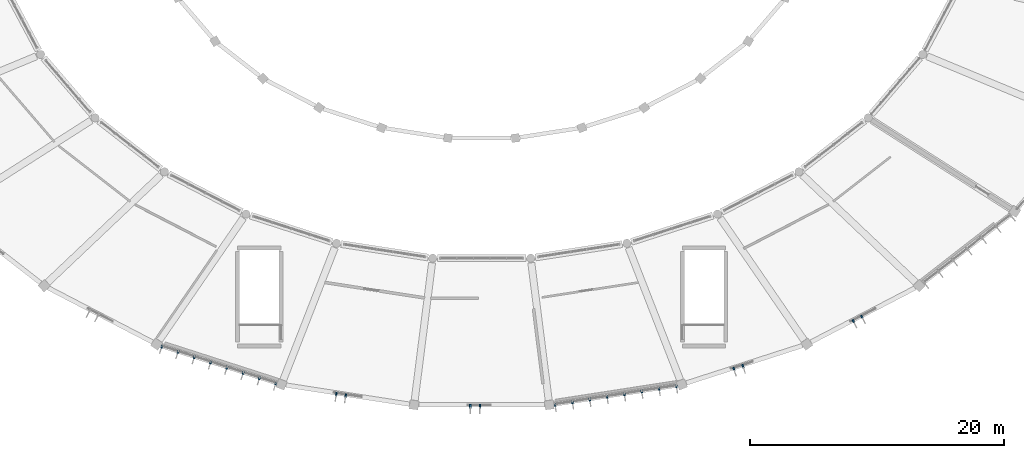
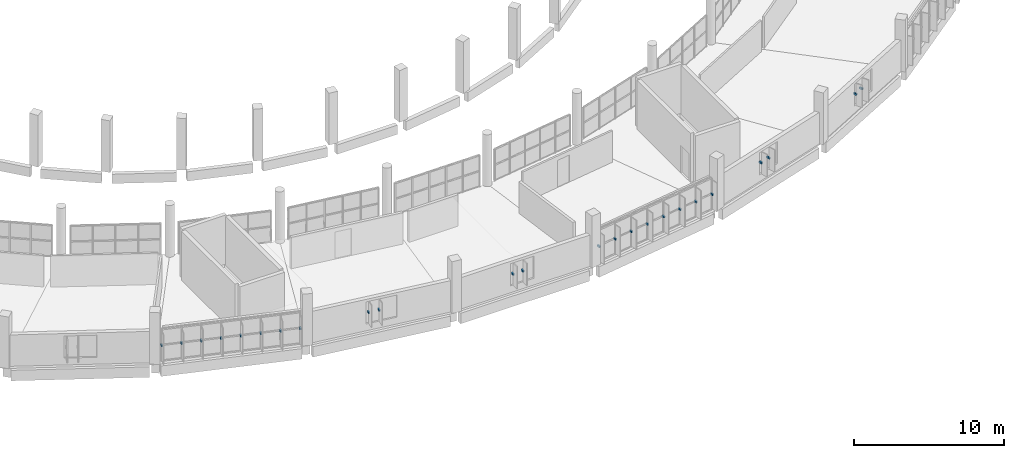
# One storey, part 111 of 142: 24 discrete accessories.
"""IFC4 building model written with IfcOpenShell, lengths in metres."""

from ifc_helpers import new_model, si_unit, direction, frame, origin, origin_2d, place, context, subcontext, project, spatial, rectangle, extrude, material, type_object, element, save


model = new_model("IFC4")

# Units and contexts
model_context = context("Model", 3, precision=1e-05, world=origin(), true_north=direction((0.0, 1.0)))
body_context = subcontext(model_context, "Body", "Model", "MODEL_VIEW")
ifc_project = project(units=[si_unit("LENGTHUNIT", "METRE"), si_unit("AREAUNIT", "SQUARE_METRE"), si_unit("VOLUMEUNIT", "CUBIC_METRE"), si_unit("PLANEANGLEUNIT", "RADIAN"), si_unit("MASSUNIT", "GRAM", prefix="KILO")], contexts=[model_context])

# Site, building, storey
site_placement = place(None, origin())
site = spatial("IfcSite", under=ifc_project, at=site_placement, CompositionType="ELEMENT")
building_placement = place(site_placement, origin())
building = spatial("IfcBuilding", under=site, at=building_placement, Name="Corvandel Quay Wholesale Market", CompositionType="ELEMENT")
storey_placement = place(building_placement, frame((0.0, 0.0, 10.800048828125)))
storey = spatial("IfcBuildingStorey", under=building, at=storey_placement, Name="L02", CompositionType="ELEMENT", Elevation=10.800048828125)

# Discrete accessories
ifc_material = material(Name="Austenitic stainless steel Grade 316", Category="steel")
discrete_accessory_type = type_object("IfcDiscreteAccessoryType", Name="Stainless Solar Fin Fixing Bracket BRK01", PredefinedType="USERDEFINED", material=ifc_material)
for number, where, z_axis, x_axis, name in (
    (1, (88.830810546875, 4.5849609375, 1.205078125), (0.0, 0.0, 1.0), (0.306692204733, 0.951808747363, 0.0), "Fin Bracket 0124"),
    (2, (90.112548828125, 4.172119140625, 1.205078125), (0.0, 0.0, 1.0), (0.306692204733, 0.951808747363, 0.0), "Fin Bracket 0125"),
    (3, (91.394287109375, 3.75927734375, 1.205078125), (0.0, 0.0, 1.0), (0.306692204733, 0.951808747363, 0.0), "Fin Bracket 0126"),
    (4, (92.67578125, 3.34619140625, 1.205078125), (0.0, 0.0, 1.0), (0.306692204733, 0.951808747363, 0.0), "Fin Bracket 0127"),
    (5, (93.95751953125, 2.93359375, 1.205078125), (0.0, 0.0, 1.0), (0.306692204733, 0.951808747363, 0.0), "Fin Bracket 0128"),
    (6, (95.239013671875, 2.5205078125, 1.205078125), (0.0, 0.0, 1.0), (0.306692204733, 0.951808747363, 0.0), "Fin Bracket 0129"),
    (7, (96.520751953125, 2.107666015625, 1.205078125), (0.0, 0.0, 1.0), (0.306692204733, 0.951808747363, 0.0), "Fin Bracket 0130"),
    (8, (97.80224609375, 1.69482421875, 1.205078125), (0.0, 0.0, 1.0), (0.306692204733, 0.951808747363, 0.0), "Fin Bracket 0131"),
):
    element("IfcDiscreteAccessory", number, at=place(storey_placement, frame(where, z_axis=z_axis, x_axis=x_axis)), inside=storey, type_object=discrete_accessory_type, Name=name, ObjectType="BRACKET", PredefinedType="USERDEFINED", context=body_context, shape_type="SweptSolid", body=[
        extrude(rectangle(XDim=0.239990234375, YDim=0.1201171875, at=origin_2d()), origin(), (0.0, 0.0, 1.0), 0.139892578125),
    ])
for number, where, z_axis, x_axis, name in (
    (9, (102.560302734375, 0.845703125, 1.3798828125), (0.0, 0.0, 1.0), (0.152813355565, 0.98825506746, 0.0), "Fin Bracket 0140"),
    (10, (103.301513671875, 0.731201171875, 1.3798828125), (0.0, 0.0, 1.0), (0.152813355565, 0.98825506746, 0.0), "Fin Bracket 0141"),
    (11, (113.10009765625, -0.10009765625, 1.3798828125), (0.0, 0.0, 1.0), (0.0, 1.0, 0.0), "Fin Bracket 0148"),
    (12, (113.85009765625, -0.10009765625, 1.3798828125), (0.0, 0.0, 1.0), (0.0, 1.0, 0.0), "Fin Bracket 0149"),
):
    element("IfcDiscreteAccessory", number, at=place(storey_placement, frame(where, z_axis=z_axis, x_axis=x_axis)), inside=storey, type_object=discrete_accessory_type, Name=name, ObjectType="BRACKET", PredefinedType="USERDEFINED", context=body_context, shape_type="SweptSolid", body=[
        extrude(rectangle(XDim=0.280029296875, YDim=0.1201171875, at=origin_2d()), origin(), (0.0, 0.0, 1.0), 0.139892578125),
    ])
for number, where, z_axis, x_axis, name in (
    (13, (119.77294921875, 0.009521484375, 1.205078125), (0.0, 0.0, 1.0), (-0.152813355565, 0.98825506746, 0.0), "Fin Bracket 0158"),
    (14, (121.135986328125, 0.220458984375, 1.205078125), (0.0, 0.0, 1.0), (-0.152813355565, 0.98825506746, 0.0), "Fin Bracket 0159"),
    (15, (122.499267578125, 0.431396484375, 1.205078125), (0.0, 0.0, 1.0), (-0.152813355565, 0.98825506746, 0.0), "Fin Bracket 0160"),
    (16, (123.862548828125, 0.64208984375, 1.205078125), (0.0, 0.0, 1.0), (-0.152813355565, 0.98825506746, 0.0), "Fin Bracket 0161"),
    (17, (125.225830078125, 0.853271484375, 1.205078125), (0.0, 0.0, 1.0), (-0.152813355565, 0.98825506746, 0.0), "Fin Bracket 0162"),
    (18, (126.589111328125, 1.064208984375, 1.205078125), (0.0, 0.0, 1.0), (-0.152813355565, 0.98825506746, 0.0), "Fin Bracket 0163"),
    (19, (127.9521484375, 1.27490234375, 1.205078125), (0.0, 0.0, 1.0), (-0.152813355565, 0.98825506746, 0.0), "Fin Bracket 0164"),
    (20, (129.3154296875, 1.48583984375, 1.205078125), (0.0, 0.0, 1.0), (-0.152813355565, 0.98825506746, 0.0), "Fin Bracket 0165"),
):
    element("IfcDiscreteAccessory", number, at=place(storey_placement, frame(where, z_axis=z_axis, x_axis=x_axis)), inside=storey, type_object=discrete_accessory_type, Name=name, ObjectType="BRACKET", PredefinedType="USERDEFINED", context=body_context, shape_type="SweptSolid", body=[
        extrude(rectangle(XDim=0.239990234375, YDim=0.1201171875, at=origin_2d()), origin(), (0.0, 0.0, 1.0), 0.139892578125),
    ])
for number, where, z_axis, x_axis, name in (
    (21, (133.83935546875, 2.825927734375, 1.3798828125), (0.0, 0.0, 1.0), (-0.306692204733, 0.951808747363, 0.0), "Fin Bracket 0179"),
    (22, (134.55322265625, 3.055908203125, 1.3798828125), (0.0, 0.0, 1.0), (-0.306692204733, 0.951808747363, 0.0), "Fin Bracket 0180"),
    (23, (143.248046875, 6.573974609375, 1.3798828125), (0.0, 0.0, 1.0), (-0.461129250378, 0.887332978338, 0.0), "Fin Bracket 0196"),
    (24, (143.91357421875, 6.919921875, 1.3798828125), (0.0, 0.0, 1.0), (-0.461129250378, 0.887332978338, 0.0), "Fin Bracket 0197"),
):
    element("IfcDiscreteAccessory", number, at=place(storey_placement, frame(where, z_axis=z_axis, x_axis=x_axis)), inside=storey, type_object=discrete_accessory_type, Name=name, ObjectType="BRACKET", PredefinedType="USERDEFINED", context=body_context, shape_type="SweptSolid", body=[
        extrude(rectangle(XDim=0.280029296875, YDim=0.1201171875, at=origin_2d()), origin(), (0.0, 0.0, 1.0), 0.139892578125),
    ])

save(model, "model.ifc")
